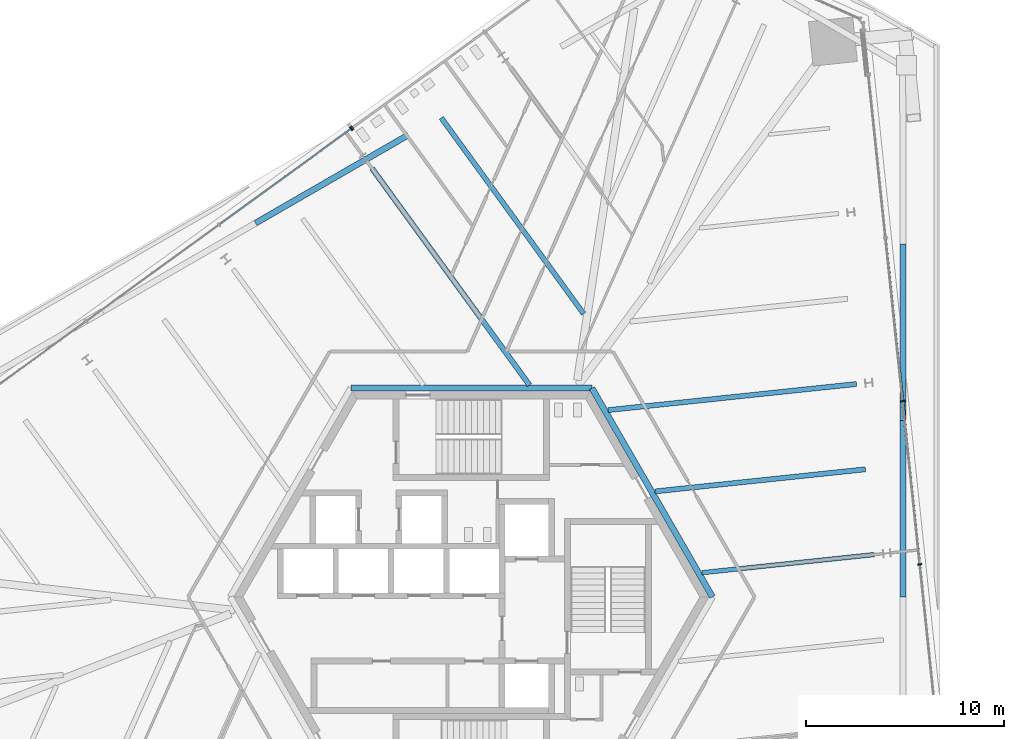
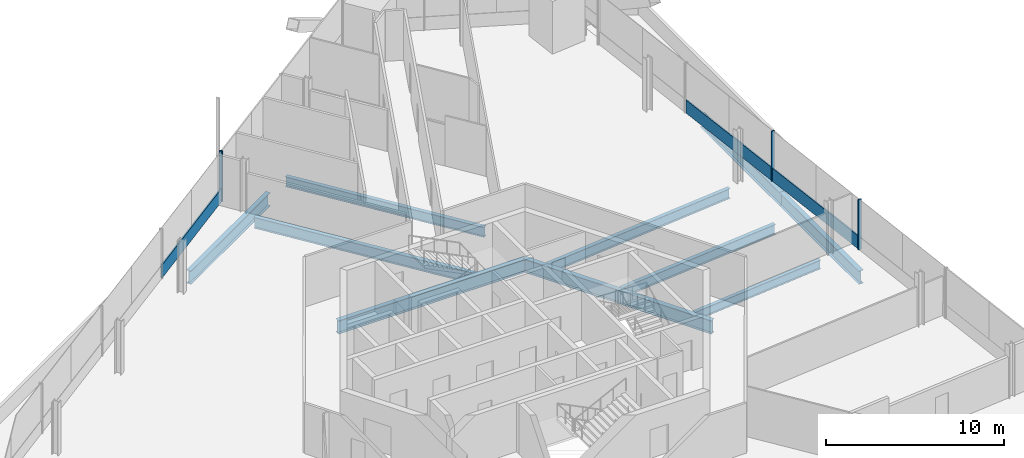
# One storey, part 7 of 24: 10 beams, 7 members, 3 elements without a shape of their own.
"""IFC4 building model written with IfcOpenShell, lengths in metres."""

import ifcopenshell
import ifcopenshell.guid

model = None  # the IFC model being written
_history = None  # IfcOwnerHistory: only IFC2X3 demands one
_inside = {}  # id of a spatial element -> (the spatial element, [elements in it])
_under = {}  # id of a project, library or spatial element -> (it, [spatial elements below it])
_declared = {}  # id of a project -> (the project, [libraries it declares])
_typed = {}  # id of a type object -> (the type object, [elements of that type])
_made_of = {}  # id of a material, layer set ... -> (it, [elements and type objects made of it])


def new_model(schema):
    """Start an empty IFC model of exactly this schema.

    Asked for "IFC4X3", IfcOpenShell would pick the latest addendum, in which some entities
    have other attributes; the version numbers below select the first issue.
    IFC2X3 requires an IfcOwnerHistory on every rooted entity: one is made here for all.
    """
    global model, _history
    if schema == "IFC4X3":
        model = ifcopenshell.file(schema_version=(4, 3, 0, 0))
    else:
        model = ifcopenshell.file(schema=schema)
    _inside.clear()
    _under.clear()
    _declared.clear()
    _typed.clear()
    _made_of.clear()
    _history = None
    if model.schema == "IFC2X3":
        org = make("IfcOrganization", Name="unknown")
        user = make(
            "IfcPersonAndOrganization",
            ThePerson=make("IfcPerson", FamilyName="unknown"),
            TheOrganization=org,
        )
        app = make(
            "IfcApplication",
            ApplicationDeveloper=org,
            Version="unknown",
            ApplicationFullName="unknown",
            ApplicationIdentifier="unknown",
        )
        _history = make(
            "IfcOwnerHistory",
            OwningUser=user,
            OwningApplication=app,
            ChangeAction="ADDED",
            CreationDate=0,
        )
    return model


def make(cls, **values):
    """One entity of the class cls with the attributes given. An attribute that is None is left unset."""
    return model.create_entity(
        cls, **{name: value for name, value in values.items() if value is not None}
    )


def rooted(cls, **values):
    """An entity with a GlobalId (a new one), such as an element, a storey or a relation."""
    return make(cls, GlobalId=ifcopenshell.guid.new(), OwnerHistory=_history, **values)


def si_unit(unit_type, name, prefix=None):
    """IfcSIUnit, for example si_unit("LENGTHUNIT", "METRE", prefix="MILLI")."""
    return make("IfcSIUnit", UnitType=unit_type, Prefix=prefix, Name=name)


def assignment(units):
    """IfcUnitAssignment: the units of a project."""
    return None if units is None else make("IfcUnitAssignment", Units=units)


def point(xyz):
    """IfcCartesianPoint."""
    return None if xyz is None else make("IfcCartesianPoint", Coordinates=xyz)


def direction(xyz):
    """IfcDirection."""
    return None if xyz is None else make("IfcDirection", DirectionRatios=xyz)


def frame(location, z_axis=None, x_axis=None):
    """IfcAxis2Placement3D, a coordinate frame: its origin and axes. An axis left out is left unset."""
    return make(
        "IfcAxis2Placement3D",
        Location=point(location),
        Axis=direction(z_axis),
        RefDirection=direction(x_axis),
    )


def frame_2d(location, x_axis=None):
    """IfcAxis2Placement2D, a coordinate frame in the plane: its origin and x axis."""
    return make(
        "IfcAxis2Placement2D", Location=point(location), RefDirection=direction(x_axis)
    )


def origin():
    """The frame at (0, 0, 0) with its axes left unset."""
    return frame((0.0, 0.0, 0.0))


def origin_2d():
    """The frame at (0, 0) in the plane with its x axis left unset."""
    return frame_2d((0.0, 0.0))


def place(relative_to, where):
    """IfcLocalPlacement: puts the frame where relative to a parent placement (None: the world)."""
    return make(
        "IfcLocalPlacement", PlacementRelTo=relative_to, RelativePlacement=where
    )


def context(
    kind, dimensions, precision=None, world=None, true_north=None, identifier=None
):
    """IfcGeometricRepresentationContext, for example the 3D "Model" context."""
    return make(
        "IfcGeometricRepresentationContext",
        ContextIdentifier=identifier,
        ContextType=kind,
        CoordinateSpaceDimension=dimensions,
        Precision=precision,
        WorldCoordinateSystem=world,
        TrueNorth=true_north,
    )


def subcontext(parent, identifier, kind, view, scale=None):
    """IfcGeometricRepresentationSubContext, for example "Body" below "Model"."""
    return make(
        "IfcGeometricRepresentationSubContext",
        ContextIdentifier=identifier,
        ContextType=kind,
        ParentContext=parent,
        TargetScale=scale,
        TargetView=view,
    )


def project(units=None, contexts=None):
    """IfcProject with its units and contexts."""
    return rooted(
        "IfcProject",
        Name="project",
        RepresentationContexts=contexts,
        UnitsInContext=assignment(units),
    )


def spatial(cls, under=None, at=None, **own):
    """A site, building, storey or space (cls), placed at a placement, below another one or the project."""
    s = rooted(cls, ObjectPlacement=at, **own)
    if under is not None:
        _under.setdefault(under.id(), (under, []))[1].append(s)
    return s


def profile(cls, at=None, kind="AREA", **sizes):
    """A parametric profile (cls). Its sizes go by their IFC names, for example OverallWidth=200.0."""
    return make(cls, ProfileType=kind, Position=at, **sizes)


def rectangle(**sizes):
    """IfcRectangleProfileDef."""
    return profile("IfcRectangleProfileDef", **sizes)


def i_section(**sizes):
    """IfcIShapeProfileDef."""
    return profile("IfcIShapeProfileDef", **sizes)


def extrude(swept, where, along, depth):
    """IfcExtrudedAreaSolid: the profile swept, set in the frame where, extruded along a direction by depth."""
    return make(
        "IfcExtrudedAreaSolid",
        SweptArea=swept,
        Position=where,
        ExtrudedDirection=direction(along),
        Depth=depth,
    )


def shape(context_of_items, identifier, shape_type, items):
    """IfcShapeRepresentation: the items that make up one representation, for example the "Body"."""
    return make(
        "IfcShapeRepresentation",
        ContextOfItems=context_of_items,
        RepresentationIdentifier=identifier,
        RepresentationType=shape_type,
        Items=items,
    )


def source(mapping_origin, context_of_items, identifier, shape_type, items):
    """IfcRepresentationMap: a shape defined once, which mapped items show again and again."""
    return make(
        "IfcRepresentationMap",
        MappingOrigin=mapping_origin,
        MappedRepresentation=shape(context_of_items, identifier, shape_type, items),
    )


def transform(
    local_origin,
    x_axis=None,
    y_axis=None,
    z_axis=None,
    scale=None,
    scale2=None,
    scale3=None,
    uniform=True,
):
    """IfcCartesianTransformationOperator3D, or its non-uniform kind. x_axis, y_axis, z_axis: its Axis1, 2, 3."""
    if uniform:
        return make(
            "IfcCartesianTransformationOperator3D",
            Axis1=direction(x_axis),
            Axis2=direction(y_axis),
            LocalOrigin=point(local_origin),
            Scale=scale,
            Axis3=direction(z_axis),
        )
    return make(
        "IfcCartesianTransformationOperator3DnonUniform",
        Axis1=direction(x_axis),
        Axis2=direction(y_axis),
        LocalOrigin=point(local_origin),
        Scale=scale,
        Axis3=direction(z_axis),
        Scale2=scale2,
        Scale3=scale3,
    )


def mapped(mapping_source, mapping_target):
    """IfcMappedItem: shows the shape of a source again, moved by a transform."""
    return make(
        "IfcMappedItem", MappingSource=mapping_source, MappingTarget=mapping_target
    )


def material(Name=None, Category=None):
    """IfcMaterial."""
    return make("IfcMaterial", Name=Name, Category=Category)


def material_profile(
    of_material, cross_section, Name=None, Category=None, Priority=None
):
    """IfcMaterialProfile: a cross section and its material."""
    return make(
        "IfcMaterialProfile",
        Name=Name,
        Material=of_material,
        Profile=cross_section,
        Priority=Priority,
        Category=Category,
    )


def profile_set(profiles, Name=None, composite=None):
    """IfcMaterialProfileSet."""
    return make(
        "IfcMaterialProfileSet",
        Name=Name,
        MaterialProfiles=profiles,
        CompositeProfile=composite,
    )


def made_of(thing, what):
    """Note that an element or type object is made of a material, layer set ...; save() writes the relation."""
    if what is not None:
        _made_of.setdefault(what.id(), (what, []))[1].append(thing)
    return thing


def type_object(cls, material=None, **own):
    """A type object (cls), such as IfcWallType, which elements share."""
    return made_of(rooted(cls, **own), material)


def element(
    cls,
    number,
    at=None,
    inside=None,
    cuts=None,
    type_object=None,
    material=None,
    context=None,
    identifier="Body",
    shape_type=None,
    held_by="IfcProductDefinitionShape",
    body=None,
    shapes=None,
    **own,
):
    """One element of the class cls, such as IfcWall. Its Tag is "e" and its number.

    at: its placement. inside: the storey or other place that contains it. cuts: it is an
    opening in that element (IfcRelVoidsElement). A single representation is given by context,
    identifier, shape_type and body (its items); several are given by shapes. held_by: the class
    of the entity that holds the representations. save() writes the other relations.
    """
    e = rooted(cls, Tag="e%d" % number, ObjectPlacement=at, **own)
    if body is not None:
        shapes = [shape(context, identifier, shape_type, body)]
    if shapes is not None:
        e.Representation = make(held_by, Representations=shapes)
    if inside is not None:
        _inside.setdefault(inside.id(), (inside, []))[1].append(e)
    if cuts is not None:
        rooted(
            "IfcRelVoidsElement", RelatingBuildingElement=cuts, RelatedOpeningElement=e
        )
    if type_object is not None:
        _typed.setdefault(type_object.id(), (type_object, []))[1].append(e)
    return made_of(e, material)


def aggregate(whole, parts):
    """IfcRelAggregates: a whole, such as a stair, and the parts it consists of."""
    return rooted("IfcRelAggregates", RelatingObject=whole, RelatedObjects=parts)


def save(model, path):
    """Write the relations noted so far, then the file.

    IfcRelAggregates (storeys below a building ...), IfcRelContainedInSpatialStructure (elements
    in a storey), IfcRelDefinesByType, IfcRelAssociatesMaterial and IfcRelDeclares: one each for
    every whole, place, type object, material and project.
    """
    for whole, parts in _under.values():
        aggregate(whole, parts)
    for where, things in _inside.values():
        rooted(
            "IfcRelContainedInSpatialStructure",
            RelatedElements=things,
            RelatingStructure=where,
        )
    for kind, things in _typed.values():
        rooted("IfcRelDefinesByType", RelatedObjects=things, RelatingType=kind)
    for what, things in _made_of.values():
        rooted("IfcRelAssociatesMaterial", RelatedObjects=things, RelatingMaterial=what)
    for by, libraries in _declared.values():
        rooted("IfcRelDeclares", RelatingContext=by, RelatedDefinitions=libraries)
    model.write(path)


model = new_model("IFC4")

# Units and contexts
model_context = context("Model", 3, precision=1e-05, world=origin(), true_north=direction((0.0, 1.0)))
body_context = subcontext(model_context, "Body", "Model", "MODEL_VIEW")
ifc_project = project(units=[si_unit("LENGTHUNIT", "METRE"), si_unit("AREAUNIT", "SQUARE_METRE"), si_unit("VOLUMEUNIT", "CUBIC_METRE"), si_unit("PLANEANGLEUNIT", "RADIAN"), si_unit("MASSUNIT", "GRAM", prefix="KILO")], contexts=[model_context])

# Site, building, storey
site_placement = place(None, origin())
site = spatial("IfcSite", under=ifc_project, at=site_placement, CompositionType="ELEMENT")
building_placement = place(site_placement, origin())
building = spatial("IfcBuilding", under=site, at=building_placement, Name="Triune Harvest Tower", CompositionType="ELEMENT")
storey_placement = place(building_placement, frame((0.0, 0.0, 58.5)))
storey = spatial("IfcBuildingStorey", under=building, at=storey_placement, Name="L13", CompositionType="ELEMENT", Elevation=58.5)

# Beams
ifc_material_1 = material(Name="Steel ASTM A992 Gr 50", Category="steel")
ifc_material_profile_1 = material_profile(ifc_material_1, i_section(OverallWidth=0.3046875, OverallDepth=0.914306640625, WebThickness=0.0166015625, FlangeThickness=0.02587890625, at=origin_2d()), Name="W36x160")
ifc_profile_set_1 = profile_set([ifc_material_profile_1], Name="Steel ASTM A992 Gr 50")
beam_type_1 = type_object("IfcBeamType", Name="CG-1 Core ring girder W36x160", PredefinedType="BEAM", material=ifc_profile_set_1)
shared_shape_1 = source(origin(), body_context, "Body", "SweptSolid", [
    extrude(i_section(OverallWidth=0.3046875, OverallDepth=0.914306640625, WebThickness=0.0166015625, FlangeThickness=0.02587890625, at=origin_2d()), origin(), (0.0, 0.0, 1.0), 12.176025390625),
])
beam_1_placement = place(storey_placement, frame((12.176025390625, 0.0, -0.6171875), z_axis=(-0.5000099932, 0.866019634131, 0.0), x_axis=(-0.866019634131, -0.5000099932, 0.0)))
element("IfcBeam", 1, at=beam_1_placement, inside=storey, type_object=beam_type_1, Name="beam/L13/CG1", PredefinedType="BEAM", context=body_context, shape_type="MappedRepresentation", body=[
    mapped(shared_shape_1, transform((0.0, 0.0, 0.0), scale=1.0)),
])
shared_shape_2 = source(origin(), body_context, "Body", "SweptSolid", [
    extrude(i_section(OverallWidth=0.3046875, OverallDepth=0.914306640625, WebThickness=0.0166015625, FlangeThickness=0.02587890625, at=origin_2d()), origin(), (0.0, 0.0, 1.0), 12.17578125),
])
beam_2_placement = place(storey_placement, frame((6.087890625, 10.544677734375, -0.6171875), z_axis=(-1.0, 0.0, 0.0), x_axis=(0.0, -1.0, 0.0)))
element("IfcBeam", 2, at=beam_2_placement, inside=storey, type_object=beam_type_1, Name="beam/L13/CG2", PredefinedType="BEAM", context=body_context, shape_type="MappedRepresentation", body=[
    mapped(shared_shape_2, transform((0.0, 0.0, 0.0), scale=1.0)),
])
ifc_material_2 = material(Name="Steel ASTM A992 Gr 50", Category="steel")
ifc_material_profile_2 = material_profile(ifc_material_2, i_section(OverallWidth=0.3046875, OverallDepth=0.914306640625, WebThickness=0.0166015625, FlangeThickness=0.02587890625, at=origin_2d()), Name="W36x160")
ifc_profile_set_2 = profile_set([ifc_material_profile_2], Name="Steel ASTM A992 Gr 50")
beam_type_2 = type_object("IfcBeamType", Name="SB-1 Spandrel beam W36x160", PredefinedType="SPANDREL", material=ifc_profile_set_2)
shared_shape_3 = source(origin(), body_context, "Body", "SweptSolid", [
    extrude(i_section(OverallWidth=0.3046875, OverallDepth=0.914306640625, WebThickness=0.0166015625, FlangeThickness=0.02587890625, at=origin_2d()), origin(), (0.0, 0.0, 1.0), 8.909912109375),
])
for number, where, z_axis, x_axis, name in (
    (3, (21.799560546875, 0.0, -0.6171875), (0.0, 1.0, 0.0), (-1.0, 0.0, 0.0), "beam/L13/WB3"),
    (4, (-3.18359375, 23.333984375, -0.6171875), (-0.866015380681, -0.500017360122, 0.0), (0.500017360122, -0.866015380681, 0.0), "beam/L13/WB9"),
):
    element("IfcBeam", number, at=place(storey_placement, frame(where, z_axis=z_axis, x_axis=x_axis)), inside=storey, type_object=beam_type_2, Name=name, PredefinedType="SPANDREL", context=body_context, shape_type="MappedRepresentation", body=[
        mapped(shared_shape_3, transform((0.0, 0.0, 0.0), scale=1.0)),
    ])
shared_shape_4 = source(origin(), body_context, "Body", "SweptSolid", [
    extrude(i_section(OverallWidth=0.3046875, OverallDepth=0.914306640625, WebThickness=0.0166015625, FlangeThickness=0.02587890625, at=origin_2d()), origin(), (0.0, 0.0, 1.0), 8.91015625),
])
beam_3_placement = place(storey_placement, frame((21.799560546875, 8.909912109375, -0.6171875), z_axis=(0.0, 1.0, 0.0), x_axis=(-1.0, 0.0, 0.0)))
element("IfcBeam", 5, at=beam_3_placement, inside=storey, type_object=beam_type_2, Name="beam/L13/WB4", PredefinedType="SPANDREL", context=body_context, shape_type="MappedRepresentation", body=[
    mapped(shared_shape_4, transform((0.0, 0.0, 0.0), scale=1.0)),
])
ifc_material_3 = material(Name="Steel ASTM A992 Gr 50", Category="steel")
ifc_material_profile_3 = material_profile(ifc_material_3, i_section(OverallWidth=0.22900390625, OverallDepth=0.612060546875, WebThickness=0.011962890625, FlangeThickness=0.01953125, at=origin_2d()), Name="W24x84")
ifc_profile_set_3 = profile_set([ifc_material_profile_3], Name="Steel ASTM A992 Gr 50")
beam_type_3 = type_object("IfcBeamType", Name="JT-3 Floor joist W24x84", PredefinedType="JOIST", material=ifc_profile_set_3)
shared_shape_5 = source(origin(), body_context, "Body", "SweptSolid", [
    extrude(i_section(OverallWidth=0.22900390625, OverallDepth=0.612060546875, WebThickness=0.011962890625, FlangeThickness=0.01953125, at=origin_2d()), origin(), (0.0, 0.0, 1.0), 8.758056640625),
])
beam_4_placement = place(storey_placement, frame((20.35546875, 2.139404296875, -0.466064453125), z_axis=(-0.994524224418, -0.104506301464, 0.0), x_axis=(0.104506301464, -0.994524224418, 0.0)))
element("IfcBeam", 6, at=beam_4_placement, inside=storey, type_object=beam_type_3, Name="beam/L13/JT6", PredefinedType="JOIST", context=body_context, shape_type="MappedRepresentation", body=[
    mapped(shared_shape_5, transform((0.0, 0.0, 0.0), scale=1.0)),
])
ifc_material_4 = material(Name="Steel ASTM A992 Gr 50", Category="steel")
ifc_material_profile_4 = material_profile(ifc_material_4, i_section(OverallWidth=0.253662109375, OverallDepth=0.683349609375, WebThickness=0.012451171875, FlangeThickness=0.01904296875, at=origin_2d()), Name="W27x94")
ifc_profile_set_4 = profile_set([ifc_material_profile_4], Name="Steel ASTM A992 Gr 50")
beam_type_4 = type_object("IfcBeamType", Name="JT-4 Floor joist W27x94", PredefinedType="JOIST", material=ifc_profile_set_4)
shared_shape_6 = source(origin(), body_context, "Body", "SweptSolid", [
    extrude(i_section(OverallWidth=0.253662109375, OverallDepth=0.683349609375, WebThickness=0.012451171875, FlangeThickness=0.01904296875, at=origin_2d()), origin(), (0.0, 0.0, 1.0), 10.686279296875),
])
beam_5_placement = place(storey_placement, frame((19.902587890625, 6.44677734375, -0.501708984375), z_axis=(-0.994522589954, -0.104521854518, 0.0), x_axis=(0.104521854518, -0.994522589954, 0.0)))
element("IfcBeam", 7, at=beam_5_placement, inside=storey, type_object=beam_type_4, Name="beam/L13/JT7", PredefinedType="JOIST", context=body_context, shape_type="MappedRepresentation", body=[
    mapped(shared_shape_6, transform((0.0, 0.0, 0.0), scale=1.0)),
])
shared_shape_7 = source(origin(), body_context, "Body", "SweptSolid", [
    extrude(i_section(OverallWidth=0.253662109375, OverallDepth=0.683349609375, WebThickness=0.012451171875, FlangeThickness=0.01904296875, at=origin_2d()), origin(), (0.0, 0.0, 1.0), 12.61474609375),
])
beam_6_placement = place(storey_placement, frame((19.449951171875, 10.754150390625, -0.501708984375), z_axis=(-0.99452187794, -0.104528629084, 0.0), x_axis=(0.104528629084, -0.99452187794, 0.0)))
element("IfcBeam", 8, at=beam_6_placement, inside=storey, type_object=beam_type_4, Name="beam/L13/JT8", PredefinedType="JOIST", context=body_context, shape_type="MappedRepresentation", body=[
    mapped(shared_shape_7, transform((0.0, 0.0, 0.0), scale=1.0)),
])
shared_shape_8 = source(origin(), body_context, "Body", "SweptSolid", [
    extrude(i_section(OverallWidth=0.253662109375, OverallDepth=0.683349609375, WebThickness=0.012451171875, FlangeThickness=0.01904296875, at=origin_2d()), origin(), (0.0, 0.0, 1.0), 12.229248046875),
])
beam_7_placement = place(storey_placement, frame((-1.518798828125, 24.19580078125, -0.501708984375), z_axis=(0.587792969247, -0.809011387623, 0.0), x_axis=(0.809011387623, 0.587792969247, 0.0)))
element("IfcBeam", 9, at=beam_7_placement, inside=storey, type_object=beam_type_4, Name="beam/L13/JT16", PredefinedType="JOIST", context=body_context, shape_type="MappedRepresentation", body=[
    mapped(shared_shape_8, transform((0.0, 0.0, 0.0), scale=1.0)),
])
ifc_material_5 = material(Name="Steel ASTM A992 Gr 50", Category="steel")
ifc_material_profile_5 = material_profile(ifc_material_5, i_section(OverallWidth=0.2666015625, OverallDepth=0.7568359375, WebThickness=0.013916015625, FlangeThickness=0.019287109375, at=origin_2d()), Name="W30x108")
ifc_profile_set_5 = profile_set([ifc_material_profile_5], Name="Steel ASTM A992 Gr 50")
beam_type_5 = type_object("IfcBeamType", Name="JT-5 Floor joist W30x108", PredefinedType="JOIST", material=ifc_profile_set_5)
shared_shape_9 = source(origin(), body_context, "Body", "SweptSolid", [
    extrude(i_section(OverallWidth=0.2666015625, OverallDepth=0.7568359375, WebThickness=0.013916015625, FlangeThickness=0.019287109375, at=origin_2d()), origin(), (0.0, 0.0, 1.0), 13.538818359375),
])
beam_8_placement = place(storey_placement, frame((-5.022705078125, 21.650146484375, -0.53857421875), z_axis=(0.587789926341, -0.809013598459, 0.0), x_axis=(0.809013598459, 0.587789926341, 0.0)))
element("IfcBeam", 10, at=beam_8_placement, inside=storey, type_object=beam_type_5, Name="beam/L13/JT17", PredefinedType="JOIST", context=body_context, shape_type="MappedRepresentation", body=[
    mapped(shared_shape_9, transform((0.0, 0.0, 0.0), scale=1.0)),
])

# Curtain wall, members
ifc_material_6 = material(Name="Aluminium bronze anodised", Category="aluminium")
curtain_wall_type_1 = type_object("IfcCurtainWallType", Name="CW-1 Tower stick curtain wall", PredefinedType="NOTDEFINED", material=ifc_material_6)
curtain_wall_1_placement = place(storey_placement, origin())
curtain_wall_1 = element("IfcCurtainWall", 11, at=curtain_wall_1_placement, inside=storey, type_object=curtain_wall_type_1, Name="CW-1 B2-F1 L13 run 1101")
ifc_material_7 = material(Name="Aluminium bronze anodised", Category="aluminium")
ifc_material_profile_6 = material_profile(ifc_material_7, rectangle(XDim=0.199951171875, YDim=0.074951171875, at=origin_2d()), Name="MU-1 mullion 75 x 200")
ifc_profile_set_6 = profile_set([ifc_material_profile_6], Name="Aluminium bronze anodised")
member_type_1 = type_object("IfcMemberType", Name="MU-1 mullion 75 x 200", PredefinedType="MULLION", material=ifc_profile_set_6)
shared_shape_10 = source(origin(), body_context, "Body", "SweptSolid", [
    extrude(rectangle(XDim=0.199951171875, YDim=0.074951171875, at=origin_2d()), origin(), (0.0, 0.0, 1.0), 3.43994140625),
])
member_1_placement = place(storey_placement, frame((22.64990234375, 1.64501953125, 0.0), z_axis=(0.0, 0.0, 1.0), x_axis=(-0.994521898639, -0.104528432145, 0.0)))
member_1 = element("IfcMember", 12, at=member_1_placement, type_object=member_type_1, Name="CW-1 mullion B2-F1 1101.3", PredefinedType="MULLION", context=body_context, shape_type="MappedRepresentation", body=[
    mapped(shared_shape_10, transform((0.0, 0.0, 0.0), scale=1.0)),
])
member_2_placement = place(storey_placement, frame((21.783203125, 9.8896484375, 0.0), z_axis=(0.0, 0.0, 1.0), x_axis=(-0.994521898639, -0.104528432145, 0.0)))
member_2 = element("IfcMember", 13, at=member_2_placement, type_object=member_type_1, Name="CW-1 mullion B2-F1 1101.5", PredefinedType="MULLION", context=body_context, shape_type="MappedRepresentation", body=[
    mapped(shared_shape_10, transform((0.0, 0.0, 0.0), scale=1.0)),
])

# Curtain wall, member
ifc_material_8 = material(Name="Aluminium bronze anodised", Category="aluminium")
curtain_wall_type_2 = type_object("IfcCurtainWallType", Name="CW-7 Tower stick curtain wall with insulated spandrel infill", PredefinedType="NOTDEFINED", material=ifc_material_8)
curtain_wall_2_placement = place(storey_placement, origin())
curtain_wall_2 = element("IfcCurtainWall", 14, at=curtain_wall_2_placement, inside=storey, type_object=curtain_wall_type_2, Name="CW-7 B2-F3 L13 run 101")
member_3_placement = place(storey_placement, frame((-6.012451171875, 23.687744140625, 0.0), z_axis=(0.0, 0.0, 1.0), x_axis=(0.587783244821, -0.809018452885, 0.0)))
member_3 = element("IfcMember", 15, at=member_3_placement, type_object=member_type_1, Name="CW-7 mullion B2-F3 101.5", PredefinedType="MULLION", context=body_context, shape_type="MappedRepresentation", body=[
    mapped(shared_shape_10, transform((0.0, 0.0, 0.0), scale=1.0)),
])
aggregate(curtain_wall_2, [member_3])

# Curtain wall, members
curtain_wall_3_placement = place(storey_placement, origin())
curtain_wall_3 = element("IfcCurtainWall", 16, at=curtain_wall_3_placement, inside=storey, type_object=curtain_wall_type_1, Name="CW-1 B2-F3 L13 run 1101")
member_4_placement = place(storey_placement, frame((-6.0732421875, 23.6435546875, 0.0), z_axis=(0.0, 0.0, 1.0), x_axis=(0.587785218588, -0.809017018863, 0.0)))
member_4 = element("IfcMember", 17, at=member_4_placement, type_object=member_type_1, Name="CW-1 mullion B2-F3 1101.1", PredefinedType="MULLION", context=body_context, shape_type="MappedRepresentation", body=[
    mapped(shared_shape_10, transform((0.0, 0.0, 0.0), scale=1.0)),
])
ifc_material_9 = material(Name="Aluminium bronze anodised", Category="aluminium")
ifc_material_profile_7 = material_profile(ifc_material_9, rectangle(XDim=0.090087890625, YDim=0.89990234375, at=origin_2d()), Name="TR-1 transom 90 x 900")
ifc_profile_set_7 = profile_set([ifc_material_profile_7], Name="Aluminium bronze anodised")
member_type_2 = type_object("IfcMemberType", Name="TR-1 transom 90 x 900", PredefinedType="USERDEFINED", material=ifc_profile_set_7)
shared_shape_11 = source(origin(), body_context, "Body", "SweptSolid", [
    extrude(rectangle(XDim=0.090087890625, YDim=0.89990234375, at=origin_2d()), origin(), (0.0, 0.0, 1.0), 8.177734375),
])
member_5_placement = place(storey_placement, frame((-6.103515625, 23.62158203125, 0.449951171875), z_axis=(-0.809025171076, -0.587773997865, 0.0), x_axis=(0.587773997865, -0.809025171076, 0.0)))
member_5 = element("IfcMember", 18, at=member_5_placement, type_object=member_type_2, Name="CW-1 transom B2-F3 1101.1", ObjectType="TRANSOM", PredefinedType="USERDEFINED", context=body_context, shape_type="MappedRepresentation", body=[
    mapped(shared_shape_11, transform((0.0, 0.0, 0.0), scale=1.0)),
])
aggregate(curtain_wall_3, [member_4, member_5])

# Member
shared_shape_12 = source(origin(), body_context, "Body", "SweptSolid", [
    extrude(rectangle(XDim=0.090087890625, YDim=0.89990234375, at=origin_2d()), origin(), (0.0, 0.0, 1.0), 8.215087890625),
])
member_6_placement = place(storey_placement, frame((22.64599609375, 1.682373046875, 0.449951171875), z_axis=(-0.104548649727, 0.994519773479, 0.0), x_axis=(-0.994519773479, -0.104548649727, 0.0)))
member_6 = element("IfcMember", 19, at=member_6_placement, type_object=member_type_2, Name="CW-1 transom B2-F1 1101.2", ObjectType="TRANSOM", PredefinedType="USERDEFINED", context=body_context, shape_type="MappedRepresentation", body=[
    mapped(shared_shape_12, transform((0.0, 0.0, 0.0), scale=1.0)),
])

member_7_placement = place(storey_placement, frame((21.779296875, 9.927001953125, 0.449951171875), z_axis=(-0.104519256216, 0.994522863025, 0.0), x_axis=(-0.994522863025, -0.104519256216, 0.0)))
member_7 = element("IfcMember", 20, at=member_7_placement, type_object=member_type_2, Name="CW-1 transom B2-F1 1101.3", ObjectType="TRANSOM", PredefinedType="USERDEFINED", context=body_context, shape_type="MappedRepresentation", body=[
    mapped(shared_shape_12, transform((0.0, 0.0, 0.0), scale=1.0)),
])

aggregate(curtain_wall_1, [member_1, member_2, member_6, member_7])

save(model, "model.ifc")
